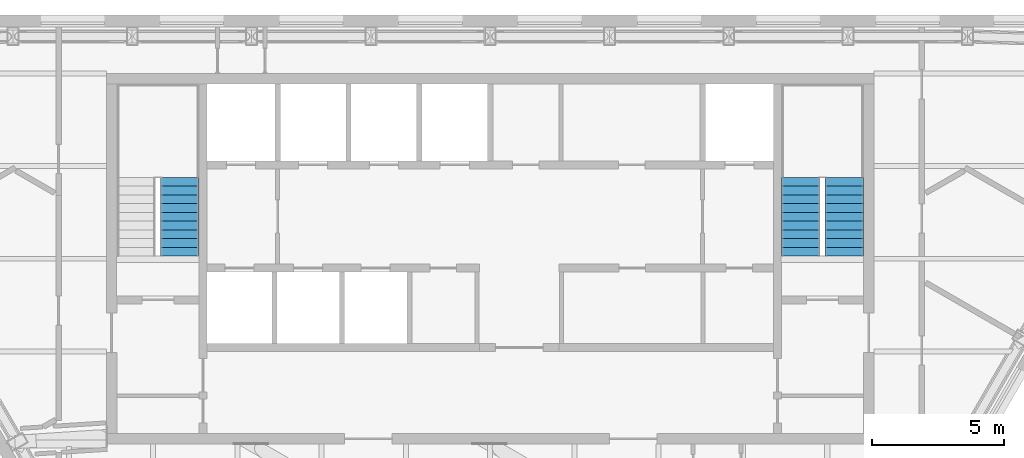
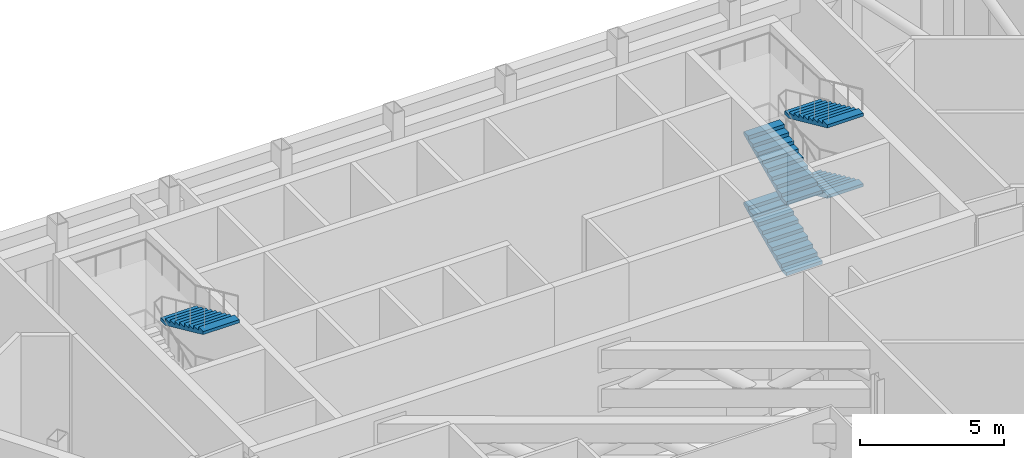
# One storey, part 13 of 14: 5 stair flights, 2 elements without a shape of their own.
"""IFC4 building model written with IfcOpenShell, lengths in metres."""

from ifc_helpers import new_model, si_unit, direction, frame, origin, place, context, subcontext, project, spatial, polygons, material, type_object, element, aggregate, save


model = new_model("IFC4")

# Units and contexts
model_context = context("Model", 3, precision=1e-05, world=origin(), true_north=direction((0.0, 1.0)))
body_context = subcontext(model_context, "Body", "Model", "MODEL_VIEW")
ifc_project = project(units=[si_unit("LENGTHUNIT", "METRE"), si_unit("AREAUNIT", "SQUARE_METRE"), si_unit("VOLUMEUNIT", "CUBIC_METRE"), si_unit("PLANEANGLEUNIT", "RADIAN"), si_unit("MASSUNIT", "GRAM", prefix="KILO")], contexts=[model_context])

# Site, building, storey
site_placement = place(None, origin())
site = spatial("IfcSite", under=ifc_project, at=site_placement, CompositionType="ELEMENT")
building_placement = place(site_placement, origin())
building = spatial("IfcBuilding", under=site, at=building_placement, Name="Njiva Tower", CompositionType="ELEMENT")
storey_placement = place(building_placement, frame((0.0, 0.0, 292.2)))
storey = spatial("IfcBuildingStorey", under=building, at=storey_placement, Name="L67", CompositionType="ELEMENT", Elevation=292.2)

# Stair, stair flight
ifc_material = material(Name="Concrete C40/50", Category="concrete")
stair_type = type_object("IfcStairType", Name="ST3 Exit stair 1450", PredefinedType="HALF_TURN_STAIR", material=ifc_material)
stair_1_placement = place(storey_placement, origin())
stair_1 = element("IfcStair", 1, at=stair_1_placement, inside=storey, type_object=stair_type, Name="Stair A", PredefinedType="DOUBLE_RETURN_STAIR")
stair_flight_type = type_object("IfcStairFlightType", Name="FL3 Stair flight 1450", PredefinedType="STRAIGHT", material=ifc_material)
stair_flight_1_placement = place(storey_placement, frame((-11.725, 14.07, 4.5), z_axis=(0.0, 0.0, 1.0), x_axis=(0.0, -1.0, 0.0)))
stair_flight_1 = element("IfcStairFlight", 2, at=stair_flight_1_placement, type_object=stair_flight_type, Name="ST-A flight 4", NumberOfRisers=10, NumberOfTreads=9, PredefinedType="STRAIGHT", RiserHeight=0.15, TreadLength=0.33, context=body_context, shape_type="Tessellation", body=[
    polygons([(0.0, 0.725, 0.0), (0.0, 0.3625, 0.0), (0.0, 0.0, 0.0), (0.0, -0.3625, 0.0), (0.0, -0.725, 0.0), (0.0, 0.725, 0.15), (0.0, 0.3625, 0.15), (0.0, 0.0, 0.15), (0.0, -0.3625, 0.15), (0.0, -0.725, 0.15), (0.33, 0.725, 0.15), (0.33, 0.3625, 0.15), (0.33, 0.0, 0.15), (0.33, -0.3625, 0.15), (0.33, -0.725, 0.15), (0.33, 0.725, 0.3), (0.33, 0.3625, 0.3), (0.33, 0.0, 0.3), (0.33, -0.3625, 0.3), (0.33, -0.725, 0.3), (0.66, 0.725, 0.3), (0.66, 0.3625, 0.3), (0.66, 0.0, 0.3), (0.66, -0.3625, 0.3), (0.66, -0.725, 0.3), (0.66, 0.725, 0.45), (0.66, 0.3625, 0.45), (0.66, 0.0, 0.45), (0.66, -0.3625, 0.45), (0.66, -0.725, 0.45), (0.99, 0.725, 0.45), (0.99, 0.3625, 0.45), (0.99, 0.0, 0.45), (0.99, -0.3625, 0.45), (0.99, -0.725, 0.45), (0.99, 0.725, 0.6), (0.99, 0.3625, 0.6), (0.99, 0.0, 0.6), (0.99, -0.3625, 0.6), (0.99, -0.725, 0.6), (1.32, 0.725, 0.6), (1.32, 0.3625, 0.6), (1.32, 0.0, 0.6), (1.32, -0.3625, 0.6), (1.32, -0.725, 0.6), (1.32, 0.725, 0.75), (1.32, 0.3625, 0.75), (1.32, 0.0, 0.75), (1.32, -0.3625, 0.75), (1.32, -0.725, 0.75), (1.65, 0.725, 0.75), (1.65, 0.3625, 0.75), (1.65, 0.0, 0.75), (1.65, -0.3625, 0.75), (1.65, -0.725, 0.75), (1.65, 0.725, 0.9), (1.65, 0.3625, 0.9), (1.65, 0.0, 0.9), (1.65, -0.3625, 0.9), (1.65, -0.725, 0.9), (1.98, 0.725, 0.9), (1.98, 0.3625, 0.9), (1.98, 0.0, 0.9), (1.98, -0.3625, 0.9), (1.98, -0.725, 0.9), (1.98, 0.725, 1.05), (1.98, 0.3625, 1.05), (1.98, 0.0, 1.05), (1.98, -0.3625, 1.05), (1.98, -0.725, 1.05), (2.31, 0.725, 1.05), (2.31, 0.3625, 1.05), (2.31, 0.0, 1.05), (2.31, -0.3625, 1.05), (2.31, -0.725, 1.05), (2.31, 0.725, 1.2), (2.31, 0.3625, 1.2), (2.31, 0.0, 1.2), (2.31, -0.3625, 1.2), (2.31, -0.725, 1.2), (2.64, 0.725, 1.2), (2.64, 0.3625, 1.2), (2.64, 0.0, 1.2), (2.64, -0.3625, 1.2), (2.64, -0.725, 1.2), (2.64, 0.725, 1.35), (2.64, 0.3625, 1.35), (2.64, 0.0, 1.35), (2.64, -0.3625, 1.35), (2.64, -0.725, 1.35), (2.97, 0.725, 1.35), (2.97, 0.3625, 1.35), (2.97, 0.0, 1.35), (2.97, -0.3625, 1.35), (2.97, -0.725, 1.35), (2.97, 0.725, 1.2182), (2.97, 0.3625, 1.2182), (2.97, 0.0, 1.2182), (2.97, -0.3625, 1.2182), (2.97, -0.725, 1.2182), (0.29, 0.725, 0.0), (0.29, 0.3625, 0.0), (0.29, 0.0, 0.0), (0.29, -0.3625, 0.0), (0.29, -0.725, 0.0)], [[[1, 6, 11, 16, 21, 26, 31, 36, 41, 46, 51, 56, 61, 66, 71, 76, 81, 86, 91, 96, 101]], [[105, 100, 95, 90, 85, 80, 75, 70, 65, 60, 55, 50, 45, 40, 35, 30, 25, 20, 15, 10, 5]], [[6, 1, 2, 7]], [[7, 2, 3, 8]], [[8, 3, 4, 9]], [[9, 4, 5, 10]], [[11, 6, 7, 12]], [[12, 7, 8, 13]], [[13, 8, 9, 14]], [[14, 9, 10, 15]], [[16, 11, 12, 17]], [[17, 12, 13, 18]], [[18, 13, 14, 19]], [[19, 14, 15, 20]], [[21, 16, 17, 22]], [[22, 17, 18, 23]], [[23, 18, 19, 24]], [[24, 19, 20, 25]], [[26, 21, 22, 27]], [[27, 22, 23, 28]], [[28, 23, 24, 29]], [[29, 24, 25, 30]], [[31, 26, 27, 32]], [[32, 27, 28, 33]], [[33, 28, 29, 34]], [[34, 29, 30, 35]], [[36, 31, 32, 37]], [[37, 32, 33, 38]], [[38, 33, 34, 39]], [[39, 34, 35, 40]], [[41, 36, 37, 42]], [[42, 37, 38, 43]], [[43, 38, 39, 44]], [[44, 39, 40, 45]], [[46, 41, 42, 47]], [[47, 42, 43, 48]], [[48, 43, 44, 49]], [[49, 44, 45, 50]], [[51, 46, 47, 52]], [[52, 47, 48, 53]], [[53, 48, 49, 54]], [[54, 49, 50, 55]], [[56, 51, 52, 57]], [[57, 52, 53, 58]], [[58, 53, 54, 59]], [[59, 54, 55, 60]], [[61, 56, 57, 62]], [[62, 57, 58, 63]], [[63, 58, 59, 64]], [[64, 59, 60, 65]], [[66, 61, 62, 67]], [[67, 62, 63, 68]], [[68, 63, 64, 69]], [[69, 64, 65, 70]], [[71, 66, 67, 72]], [[72, 67, 68, 73]], [[73, 68, 69, 74]], [[74, 69, 70, 75]], [[76, 71, 72, 77]], [[77, 72, 73, 78]], [[78, 73, 74, 79]], [[79, 74, 75, 80]], [[81, 76, 77, 82]], [[82, 77, 78, 83]], [[83, 78, 79, 84]], [[84, 79, 80, 85]], [[86, 81, 82, 87]], [[87, 82, 83, 88]], [[88, 83, 84, 89]], [[89, 84, 85, 90]], [[91, 86, 87, 92]], [[92, 87, 88, 93]], [[93, 88, 89, 94]], [[94, 89, 90, 95]], [[96, 91, 92, 97]], [[97, 92, 93, 98]], [[98, 93, 94, 99]], [[99, 94, 95, 100]], [[101, 96, 97, 102]], [[102, 97, 98, 103]], [[103, 98, 99, 104]], [[104, 99, 100, 105]], [[1, 101, 102, 2]], [[2, 102, 103, 3]], [[3, 103, 104, 4]], [[4, 104, 105, 5]]], closed=True),
])
aggregate(stair_1, [stair_flight_1])

# Stair, stair flights
stair_2_placement = place(storey_placement, origin())
stair_2 = element("IfcStair", 3, at=stair_2_placement, inside=storey, type_object=stair_type, Name="Stair B", PredefinedType="DOUBLE_RETURN_STAIR")
stair_flight_2_placement = place(storey_placement, frame((11.725, 11.1, 0.0), z_axis=(0.0, 0.0, 1.0), x_axis=(0.0, 1.0, 0.0)))
stair_flight_2 = element("IfcStairFlight", 4, at=stair_flight_2_placement, type_object=stair_flight_type, Name="ST-B flight 1", NumberOfRisers=10, NumberOfTreads=9, PredefinedType="STRAIGHT", RiserHeight=0.15, TreadLength=0.33, context=body_context, shape_type="Tessellation", body=[
    polygons([(0.0, 0.725, 0.0), (0.0, 0.3625, 0.0), (0.0, 0.0, 0.0), (0.0, -0.3625, 0.0), (0.0, -0.725, 0.0), (0.0, 0.725, 0.15), (0.0, 0.3625, 0.15), (0.0, 0.0, 0.15), (0.0, -0.3625, 0.15), (0.0, -0.725, 0.15), (0.33, 0.725, 0.15), (0.33, 0.3625, 0.15), (0.33, 0.0, 0.15), (0.33, -0.3625, 0.15), (0.33, -0.725, 0.15), (0.33, 0.725, 0.3), (0.33, 0.3625, 0.3), (0.33, 0.0, 0.3), (0.33, -0.3625, 0.3), (0.33, -0.725, 0.3), (0.66, 0.725, 0.3), (0.66, 0.3625, 0.3), (0.66, 0.0, 0.3), (0.66, -0.3625, 0.3), (0.66, -0.725, 0.3), (0.66, 0.725, 0.45), (0.66, 0.3625, 0.45), (0.66, 0.0, 0.45), (0.66, -0.3625, 0.45), (0.66, -0.725, 0.45), (0.99, 0.725, 0.45), (0.99, 0.3625, 0.45), (0.99, 0.0, 0.45), (0.99, -0.3625, 0.45), (0.99, -0.725, 0.45), (0.99, 0.725, 0.6), (0.99, 0.3625, 0.6), (0.99, 0.0, 0.6), (0.99, -0.3625, 0.6), (0.99, -0.725, 0.6), (1.32, 0.725, 0.6), (1.32, 0.3625, 0.6), (1.32, 0.0, 0.6), (1.32, -0.3625, 0.6), (1.32, -0.725, 0.6), (1.32, 0.725, 0.75), (1.32, 0.3625, 0.75), (1.32, 0.0, 0.75), (1.32, -0.3625, 0.75), (1.32, -0.725, 0.75), (1.65, 0.725, 0.75), (1.65, 0.3625, 0.75), (1.65, 0.0, 0.75), (1.65, -0.3625, 0.75), (1.65, -0.725, 0.75), (1.65, 0.725, 0.9), (1.65, 0.3625, 0.9), (1.65, 0.0, 0.9), (1.65, -0.3625, 0.9), (1.65, -0.725, 0.9), (1.98, 0.725, 0.9), (1.98, 0.3625, 0.9), (1.98, 0.0, 0.9), (1.98, -0.3625, 0.9), (1.98, -0.725, 0.9), (1.98, 0.725, 1.05), (1.98, 0.3625, 1.05), (1.98, 0.0, 1.05), (1.98, -0.3625, 1.05), (1.98, -0.725, 1.05), (2.31, 0.725, 1.05), (2.31, 0.3625, 1.05), (2.31, 0.0, 1.05), (2.31, -0.3625, 1.05), (2.31, -0.725, 1.05), (2.31, 0.725, 1.2), (2.31, 0.3625, 1.2), (2.31, 0.0, 1.2), (2.31, -0.3625, 1.2), (2.31, -0.725, 1.2), (2.64, 0.725, 1.2), (2.64, 0.3625, 1.2), (2.64, 0.0, 1.2), (2.64, -0.3625, 1.2), (2.64, -0.725, 1.2), (2.64, 0.725, 1.35), (2.64, 0.3625, 1.35), (2.64, 0.0, 1.35), (2.64, -0.3625, 1.35), (2.64, -0.725, 1.35), (2.97, 0.725, 1.35), (2.97, 0.3625, 1.35), (2.97, 0.0, 1.35), (2.97, -0.3625, 1.35), (2.97, -0.725, 1.35), (2.97, 0.725, 1.2182), (2.97, 0.3625, 1.2182), (2.97, 0.0, 1.2182), (2.97, -0.3625, 1.2182), (2.97, -0.725, 1.2182), (0.29, 0.725, 0.0), (0.29, 0.3625, 0.0), (0.29, 0.0, 0.0), (0.29, -0.3625, 0.0), (0.29, -0.725, 0.0)], [[[1, 6, 11, 16, 21, 26, 31, 36, 41, 46, 51, 56, 61, 66, 71, 76, 81, 86, 91, 96, 101]], [[105, 100, 95, 90, 85, 80, 75, 70, 65, 60, 55, 50, 45, 40, 35, 30, 25, 20, 15, 10, 5]], [[6, 1, 2, 7]], [[7, 2, 3, 8]], [[8, 3, 4, 9]], [[9, 4, 5, 10]], [[11, 6, 7, 12]], [[12, 7, 8, 13]], [[13, 8, 9, 14]], [[14, 9, 10, 15]], [[16, 11, 12, 17]], [[17, 12, 13, 18]], [[18, 13, 14, 19]], [[19, 14, 15, 20]], [[21, 16, 17, 22]], [[22, 17, 18, 23]], [[23, 18, 19, 24]], [[24, 19, 20, 25]], [[26, 21, 22, 27]], [[27, 22, 23, 28]], [[28, 23, 24, 29]], [[29, 24, 25, 30]], [[31, 26, 27, 32]], [[32, 27, 28, 33]], [[33, 28, 29, 34]], [[34, 29, 30, 35]], [[36, 31, 32, 37]], [[37, 32, 33, 38]], [[38, 33, 34, 39]], [[39, 34, 35, 40]], [[41, 36, 37, 42]], [[42, 37, 38, 43]], [[43, 38, 39, 44]], [[44, 39, 40, 45]], [[46, 41, 42, 47]], [[47, 42, 43, 48]], [[48, 43, 44, 49]], [[49, 44, 45, 50]], [[51, 46, 47, 52]], [[52, 47, 48, 53]], [[53, 48, 49, 54]], [[54, 49, 50, 55]], [[56, 51, 52, 57]], [[57, 52, 53, 58]], [[58, 53, 54, 59]], [[59, 54, 55, 60]], [[61, 56, 57, 62]], [[62, 57, 58, 63]], [[63, 58, 59, 64]], [[64, 59, 60, 65]], [[66, 61, 62, 67]], [[67, 62, 63, 68]], [[68, 63, 64, 69]], [[69, 64, 65, 70]], [[71, 66, 67, 72]], [[72, 67, 68, 73]], [[73, 68, 69, 74]], [[74, 69, 70, 75]], [[76, 71, 72, 77]], [[77, 72, 73, 78]], [[78, 73, 74, 79]], [[79, 74, 75, 80]], [[81, 76, 77, 82]], [[82, 77, 78, 83]], [[83, 78, 79, 84]], [[84, 79, 80, 85]], [[86, 81, 82, 87]], [[87, 82, 83, 88]], [[88, 83, 84, 89]], [[89, 84, 85, 90]], [[91, 86, 87, 92]], [[92, 87, 88, 93]], [[93, 88, 89, 94]], [[94, 89, 90, 95]], [[96, 91, 92, 97]], [[97, 92, 93, 98]], [[98, 93, 94, 99]], [[99, 94, 95, 100]], [[101, 96, 97, 102]], [[102, 97, 98, 103]], [[103, 98, 99, 104]], [[104, 99, 100, 105]], [[1, 101, 102, 2]], [[2, 102, 103, 3]], [[3, 103, 104, 4]], [[4, 104, 105, 5]]], closed=True),
])
stair_flight_3_placement = place(storey_placement, frame((13.375, 14.07, 1.5), z_axis=(0.0, 0.0, 1.0), x_axis=(0.0, -1.0, 0.0)))
stair_flight_3 = element("IfcStairFlight", 5, at=stair_flight_3_placement, type_object=stair_flight_type, Name="ST-B flight 2", NumberOfRisers=10, NumberOfTreads=9, PredefinedType="STRAIGHT", RiserHeight=0.15, TreadLength=0.33, context=body_context, shape_type="Tessellation", body=[
    polygons([(0.0, 0.725, 0.0), (0.0, 0.3625, 0.0), (0.0, 0.0, 0.0), (0.0, -0.3625, 0.0), (0.0, -0.725, 0.0), (0.0, 0.725, 0.15), (0.0, 0.3625, 0.15), (0.0, 0.0, 0.15), (0.0, -0.3625, 0.15), (0.0, -0.725, 0.15), (0.33, 0.725, 0.15), (0.33, 0.3625, 0.15), (0.33, 0.0, 0.15), (0.33, -0.3625, 0.15), (0.33, -0.725, 0.15), (0.33, 0.725, 0.3), (0.33, 0.3625, 0.3), (0.33, 0.0, 0.3), (0.33, -0.3625, 0.3), (0.33, -0.725, 0.3), (0.66, 0.725, 0.3), (0.66, 0.3625, 0.3), (0.66, 0.0, 0.3), (0.66, -0.3625, 0.3), (0.66, -0.725, 0.3), (0.66, 0.725, 0.45), (0.66, 0.3625, 0.45), (0.66, 0.0, 0.45), (0.66, -0.3625, 0.45), (0.66, -0.725, 0.45), (0.99, 0.725, 0.45), (0.99, 0.3625, 0.45), (0.99, 0.0, 0.45), (0.99, -0.3625, 0.45), (0.99, -0.725, 0.45), (0.99, 0.725, 0.6), (0.99, 0.3625, 0.6), (0.99, 0.0, 0.6), (0.99, -0.3625, 0.6), (0.99, -0.725, 0.6), (1.32, 0.725, 0.6), (1.32, 0.3625, 0.6), (1.32, 0.0, 0.6), (1.32, -0.3625, 0.6), (1.32, -0.725, 0.6), (1.32, 0.725, 0.75), (1.32, 0.3625, 0.75), (1.32, 0.0, 0.75), (1.32, -0.3625, 0.75), (1.32, -0.725, 0.75), (1.65, 0.725, 0.75), (1.65, 0.3625, 0.75), (1.65, 0.0, 0.75), (1.65, -0.3625, 0.75), (1.65, -0.725, 0.75), (1.65, 0.725, 0.9), (1.65, 0.3625, 0.9), (1.65, 0.0, 0.9), (1.65, -0.3625, 0.9), (1.65, -0.725, 0.9), (1.98, 0.725, 0.9), (1.98, 0.3625, 0.9), (1.98, 0.0, 0.9), (1.98, -0.3625, 0.9), (1.98, -0.725, 0.9), (1.98, 0.725, 1.05), (1.98, 0.3625, 1.05), (1.98, 0.0, 1.05), (1.98, -0.3625, 1.05), (1.98, -0.725, 1.05), (2.31, 0.725, 1.05), (2.31, 0.3625, 1.05), (2.31, 0.0, 1.05), (2.31, -0.3625, 1.05), (2.31, -0.725, 1.05), (2.31, 0.725, 1.2), (2.31, 0.3625, 1.2), (2.31, 0.0, 1.2), (2.31, -0.3625, 1.2), (2.31, -0.725, 1.2), (2.64, 0.725, 1.2), (2.64, 0.3625, 1.2), (2.64, 0.0, 1.2), (2.64, -0.3625, 1.2), (2.64, -0.725, 1.2), (2.64, 0.725, 1.35), (2.64, 0.3625, 1.35), (2.64, 0.0, 1.35), (2.64, -0.3625, 1.35), (2.64, -0.725, 1.35), (2.97, 0.725, 1.35), (2.97, 0.3625, 1.35), (2.97, 0.0, 1.35), (2.97, -0.3625, 1.35), (2.97, -0.725, 1.35), (2.97, 0.725, 1.2182), (2.97, 0.3625, 1.2182), (2.97, 0.0, 1.2182), (2.97, -0.3625, 1.2182), (2.97, -0.725, 1.2182), (0.29, 0.725, 0.0), (0.29, 0.3625, 0.0), (0.29, 0.0, 0.0), (0.29, -0.3625, 0.0), (0.29, -0.725, 0.0)], [[[1, 6, 11, 16, 21, 26, 31, 36, 41, 46, 51, 56, 61, 66, 71, 76, 81, 86, 91, 96, 101]], [[105, 100, 95, 90, 85, 80, 75, 70, 65, 60, 55, 50, 45, 40, 35, 30, 25, 20, 15, 10, 5]], [[6, 1, 2, 7]], [[7, 2, 3, 8]], [[8, 3, 4, 9]], [[9, 4, 5, 10]], [[11, 6, 7, 12]], [[12, 7, 8, 13]], [[13, 8, 9, 14]], [[14, 9, 10, 15]], [[16, 11, 12, 17]], [[17, 12, 13, 18]], [[18, 13, 14, 19]], [[19, 14, 15, 20]], [[21, 16, 17, 22]], [[22, 17, 18, 23]], [[23, 18, 19, 24]], [[24, 19, 20, 25]], [[26, 21, 22, 27]], [[27, 22, 23, 28]], [[28, 23, 24, 29]], [[29, 24, 25, 30]], [[31, 26, 27, 32]], [[32, 27, 28, 33]], [[33, 28, 29, 34]], [[34, 29, 30, 35]], [[36, 31, 32, 37]], [[37, 32, 33, 38]], [[38, 33, 34, 39]], [[39, 34, 35, 40]], [[41, 36, 37, 42]], [[42, 37, 38, 43]], [[43, 38, 39, 44]], [[44, 39, 40, 45]], [[46, 41, 42, 47]], [[47, 42, 43, 48]], [[48, 43, 44, 49]], [[49, 44, 45, 50]], [[51, 46, 47, 52]], [[52, 47, 48, 53]], [[53, 48, 49, 54]], [[54, 49, 50, 55]], [[56, 51, 52, 57]], [[57, 52, 53, 58]], [[58, 53, 54, 59]], [[59, 54, 55, 60]], [[61, 56, 57, 62]], [[62, 57, 58, 63]], [[63, 58, 59, 64]], [[64, 59, 60, 65]], [[66, 61, 62, 67]], [[67, 62, 63, 68]], [[68, 63, 64, 69]], [[69, 64, 65, 70]], [[71, 66, 67, 72]], [[72, 67, 68, 73]], [[73, 68, 69, 74]], [[74, 69, 70, 75]], [[76, 71, 72, 77]], [[77, 72, 73, 78]], [[78, 73, 74, 79]], [[79, 74, 75, 80]], [[81, 76, 77, 82]], [[82, 77, 78, 83]], [[83, 78, 79, 84]], [[84, 79, 80, 85]], [[86, 81, 82, 87]], [[87, 82, 83, 88]], [[88, 83, 84, 89]], [[89, 84, 85, 90]], [[91, 86, 87, 92]], [[92, 87, 88, 93]], [[93, 88, 89, 94]], [[94, 89, 90, 95]], [[96, 91, 92, 97]], [[97, 92, 93, 98]], [[98, 93, 94, 99]], [[99, 94, 95, 100]], [[101, 96, 97, 102]], [[102, 97, 98, 103]], [[103, 98, 99, 104]], [[104, 99, 100, 105]], [[1, 101, 102, 2]], [[2, 102, 103, 3]], [[3, 103, 104, 4]], [[4, 104, 105, 5]]], closed=True),
])
stair_flight_4_placement = place(storey_placement, frame((11.725, 11.1, 3.0), z_axis=(0.0, 0.0, 1.0), x_axis=(0.0, 1.0, 0.0)))
stair_flight_4 = element("IfcStairFlight", 6, at=stair_flight_4_placement, type_object=stair_flight_type, Name="ST-B flight 3", NumberOfRisers=10, NumberOfTreads=9, PredefinedType="STRAIGHT", RiserHeight=0.15, TreadLength=0.33, context=body_context, shape_type="Tessellation", body=[
    polygons([(0.0, 0.725, 0.0), (0.0, 0.3625, 0.0), (0.0, 0.0, 0.0), (0.0, -0.3625, 0.0), (0.0, -0.725, 0.0), (0.0, 0.725, 0.15), (0.0, 0.3625, 0.15), (0.0, 0.0, 0.15), (0.0, -0.3625, 0.15), (0.0, -0.725, 0.15), (0.33, 0.725, 0.15), (0.33, 0.3625, 0.15), (0.33, 0.0, 0.15), (0.33, -0.3625, 0.15), (0.33, -0.725, 0.15), (0.33, 0.725, 0.3), (0.33, 0.3625, 0.3), (0.33, 0.0, 0.3), (0.33, -0.3625, 0.3), (0.33, -0.725, 0.3), (0.66, 0.725, 0.3), (0.66, 0.3625, 0.3), (0.66, 0.0, 0.3), (0.66, -0.3625, 0.3), (0.66, -0.725, 0.3), (0.66, 0.725, 0.45), (0.66, 0.3625, 0.45), (0.66, 0.0, 0.45), (0.66, -0.3625, 0.45), (0.66, -0.725, 0.45), (0.99, 0.725, 0.45), (0.99, 0.3625, 0.45), (0.99, 0.0, 0.45), (0.99, -0.3625, 0.45), (0.99, -0.725, 0.45), (0.99, 0.725, 0.6), (0.99, 0.3625, 0.6), (0.99, 0.0, 0.6), (0.99, -0.3625, 0.6), (0.99, -0.725, 0.6), (1.32, 0.725, 0.6), (1.32, 0.3625, 0.6), (1.32, 0.0, 0.6), (1.32, -0.3625, 0.6), (1.32, -0.725, 0.6), (1.32, 0.725, 0.75), (1.32, 0.3625, 0.75), (1.32, 0.0, 0.75), (1.32, -0.3625, 0.75), (1.32, -0.725, 0.75), (1.65, 0.725, 0.75), (1.65, 0.3625, 0.75), (1.65, 0.0, 0.75), (1.65, -0.3625, 0.75), (1.65, -0.725, 0.75), (1.65, 0.725, 0.9), (1.65, 0.3625, 0.9), (1.65, 0.0, 0.9), (1.65, -0.3625, 0.9), (1.65, -0.725, 0.9), (1.98, 0.725, 0.9), (1.98, 0.3625, 0.9), (1.98, 0.0, 0.9), (1.98, -0.3625, 0.9), (1.98, -0.725, 0.9), (1.98, 0.725, 1.05), (1.98, 0.3625, 1.05), (1.98, 0.0, 1.05), (1.98, -0.3625, 1.05), (1.98, -0.725, 1.05), (2.31, 0.725, 1.05), (2.31, 0.3625, 1.05), (2.31, 0.0, 1.05), (2.31, -0.3625, 1.05), (2.31, -0.725, 1.05), (2.31, 0.725, 1.2), (2.31, 0.3625, 1.2), (2.31, 0.0, 1.2), (2.31, -0.3625, 1.2), (2.31, -0.725, 1.2), (2.64, 0.725, 1.2), (2.64, 0.3625, 1.2), (2.64, 0.0, 1.2), (2.64, -0.3625, 1.2), (2.64, -0.725, 1.2), (2.64, 0.725, 1.35), (2.64, 0.3625, 1.35), (2.64, 0.0, 1.35), (2.64, -0.3625, 1.35), (2.64, -0.725, 1.35), (2.97, 0.725, 1.35), (2.97, 0.3625, 1.35), (2.97, 0.0, 1.35), (2.97, -0.3625, 1.35), (2.97, -0.725, 1.35), (2.97, 0.725, 1.2182), (2.97, 0.3625, 1.2182), (2.97, 0.0, 1.2182), (2.97, -0.3625, 1.2182), (2.97, -0.725, 1.2182), (0.29, 0.725, 0.0), (0.29, 0.3625, 0.0), (0.29, 0.0, 0.0), (0.29, -0.3625, 0.0), (0.29, -0.725, 0.0)], [[[1, 6, 11, 16, 21, 26, 31, 36, 41, 46, 51, 56, 61, 66, 71, 76, 81, 86, 91, 96, 101]], [[105, 100, 95, 90, 85, 80, 75, 70, 65, 60, 55, 50, 45, 40, 35, 30, 25, 20, 15, 10, 5]], [[6, 1, 2, 7]], [[7, 2, 3, 8]], [[8, 3, 4, 9]], [[9, 4, 5, 10]], [[11, 6, 7, 12]], [[12, 7, 8, 13]], [[13, 8, 9, 14]], [[14, 9, 10, 15]], [[16, 11, 12, 17]], [[17, 12, 13, 18]], [[18, 13, 14, 19]], [[19, 14, 15, 20]], [[21, 16, 17, 22]], [[22, 17, 18, 23]], [[23, 18, 19, 24]], [[24, 19, 20, 25]], [[26, 21, 22, 27]], [[27, 22, 23, 28]], [[28, 23, 24, 29]], [[29, 24, 25, 30]], [[31, 26, 27, 32]], [[32, 27, 28, 33]], [[33, 28, 29, 34]], [[34, 29, 30, 35]], [[36, 31, 32, 37]], [[37, 32, 33, 38]], [[38, 33, 34, 39]], [[39, 34, 35, 40]], [[41, 36, 37, 42]], [[42, 37, 38, 43]], [[43, 38, 39, 44]], [[44, 39, 40, 45]], [[46, 41, 42, 47]], [[47, 42, 43, 48]], [[48, 43, 44, 49]], [[49, 44, 45, 50]], [[51, 46, 47, 52]], [[52, 47, 48, 53]], [[53, 48, 49, 54]], [[54, 49, 50, 55]], [[56, 51, 52, 57]], [[57, 52, 53, 58]], [[58, 53, 54, 59]], [[59, 54, 55, 60]], [[61, 56, 57, 62]], [[62, 57, 58, 63]], [[63, 58, 59, 64]], [[64, 59, 60, 65]], [[66, 61, 62, 67]], [[67, 62, 63, 68]], [[68, 63, 64, 69]], [[69, 64, 65, 70]], [[71, 66, 67, 72]], [[72, 67, 68, 73]], [[73, 68, 69, 74]], [[74, 69, 70, 75]], [[76, 71, 72, 77]], [[77, 72, 73, 78]], [[78, 73, 74, 79]], [[79, 74, 75, 80]], [[81, 76, 77, 82]], [[82, 77, 78, 83]], [[83, 78, 79, 84]], [[84, 79, 80, 85]], [[86, 81, 82, 87]], [[87, 82, 83, 88]], [[88, 83, 84, 89]], [[89, 84, 85, 90]], [[91, 86, 87, 92]], [[92, 87, 88, 93]], [[93, 88, 89, 94]], [[94, 89, 90, 95]], [[96, 91, 92, 97]], [[97, 92, 93, 98]], [[98, 93, 94, 99]], [[99, 94, 95, 100]], [[101, 96, 97, 102]], [[102, 97, 98, 103]], [[103, 98, 99, 104]], [[104, 99, 100, 105]], [[1, 101, 102, 2]], [[2, 102, 103, 3]], [[3, 103, 104, 4]], [[4, 104, 105, 5]]], closed=True),
])
stair_flight_5_placement = place(storey_placement, frame((13.375, 14.07, 4.5), z_axis=(0.0, 0.0, 1.0), x_axis=(0.0, -1.0, 0.0)))
stair_flight_5 = element("IfcStairFlight", 7, at=stair_flight_5_placement, type_object=stair_flight_type, Name="ST-B flight 4", NumberOfRisers=10, NumberOfTreads=9, PredefinedType="STRAIGHT", RiserHeight=0.15, TreadLength=0.33, context=body_context, shape_type="Tessellation", body=[
    polygons([(0.0, 0.725, 0.0), (0.0, 0.3625, 0.0), (0.0, 0.0, 0.0), (0.0, -0.3625, 0.0), (0.0, -0.725, 0.0), (0.0, 0.725, 0.15), (0.0, 0.3625, 0.15), (0.0, 0.0, 0.15), (0.0, -0.3625, 0.15), (0.0, -0.725, 0.15), (0.33, 0.725, 0.15), (0.33, 0.3625, 0.15), (0.33, 0.0, 0.15), (0.33, -0.3625, 0.15), (0.33, -0.725, 0.15), (0.33, 0.725, 0.3), (0.33, 0.3625, 0.3), (0.33, 0.0, 0.3), (0.33, -0.3625, 0.3), (0.33, -0.725, 0.3), (0.66, 0.725, 0.3), (0.66, 0.3625, 0.3), (0.66, 0.0, 0.3), (0.66, -0.3625, 0.3), (0.66, -0.725, 0.3), (0.66, 0.725, 0.45), (0.66, 0.3625, 0.45), (0.66, 0.0, 0.45), (0.66, -0.3625, 0.45), (0.66, -0.725, 0.45), (0.99, 0.725, 0.45), (0.99, 0.3625, 0.45), (0.99, 0.0, 0.45), (0.99, -0.3625, 0.45), (0.99, -0.725, 0.45), (0.99, 0.725, 0.6), (0.99, 0.3625, 0.6), (0.99, 0.0, 0.6), (0.99, -0.3625, 0.6), (0.99, -0.725, 0.6), (1.32, 0.725, 0.6), (1.32, 0.3625, 0.6), (1.32, 0.0, 0.6), (1.32, -0.3625, 0.6), (1.32, -0.725, 0.6), (1.32, 0.725, 0.75), (1.32, 0.3625, 0.75), (1.32, 0.0, 0.75), (1.32, -0.3625, 0.75), (1.32, -0.725, 0.75), (1.65, 0.725, 0.75), (1.65, 0.3625, 0.75), (1.65, 0.0, 0.75), (1.65, -0.3625, 0.75), (1.65, -0.725, 0.75), (1.65, 0.725, 0.9), (1.65, 0.3625, 0.9), (1.65, 0.0, 0.9), (1.65, -0.3625, 0.9), (1.65, -0.725, 0.9), (1.98, 0.725, 0.9), (1.98, 0.3625, 0.9), (1.98, 0.0, 0.9), (1.98, -0.3625, 0.9), (1.98, -0.725, 0.9), (1.98, 0.725, 1.05), (1.98, 0.3625, 1.05), (1.98, 0.0, 1.05), (1.98, -0.3625, 1.05), (1.98, -0.725, 1.05), (2.31, 0.725, 1.05), (2.31, 0.3625, 1.05), (2.31, 0.0, 1.05), (2.31, -0.3625, 1.05), (2.31, -0.725, 1.05), (2.31, 0.725, 1.2), (2.31, 0.3625, 1.2), (2.31, 0.0, 1.2), (2.31, -0.3625, 1.2), (2.31, -0.725, 1.2), (2.64, 0.725, 1.2), (2.64, 0.3625, 1.2), (2.64, 0.0, 1.2), (2.64, -0.3625, 1.2), (2.64, -0.725, 1.2), (2.64, 0.725, 1.35), (2.64, 0.3625, 1.35), (2.64, 0.0, 1.35), (2.64, -0.3625, 1.35), (2.64, -0.725, 1.35), (2.97, 0.725, 1.35), (2.97, 0.3625, 1.35), (2.97, 0.0, 1.35), (2.97, -0.3625, 1.35), (2.97, -0.725, 1.35), (2.97, 0.725, 1.2182), (2.97, 0.3625, 1.2182), (2.97, 0.0, 1.2182), (2.97, -0.3625, 1.2182), (2.97, -0.725, 1.2182), (0.29, 0.725, 0.0), (0.29, 0.3625, 0.0), (0.29, 0.0, 0.0), (0.29, -0.3625, 0.0), (0.29, -0.725, 0.0)], [[[1, 6, 11, 16, 21, 26, 31, 36, 41, 46, 51, 56, 61, 66, 71, 76, 81, 86, 91, 96, 101]], [[105, 100, 95, 90, 85, 80, 75, 70, 65, 60, 55, 50, 45, 40, 35, 30, 25, 20, 15, 10, 5]], [[6, 1, 2, 7]], [[7, 2, 3, 8]], [[8, 3, 4, 9]], [[9, 4, 5, 10]], [[11, 6, 7, 12]], [[12, 7, 8, 13]], [[13, 8, 9, 14]], [[14, 9, 10, 15]], [[16, 11, 12, 17]], [[17, 12, 13, 18]], [[18, 13, 14, 19]], [[19, 14, 15, 20]], [[21, 16, 17, 22]], [[22, 17, 18, 23]], [[23, 18, 19, 24]], [[24, 19, 20, 25]], [[26, 21, 22, 27]], [[27, 22, 23, 28]], [[28, 23, 24, 29]], [[29, 24, 25, 30]], [[31, 26, 27, 32]], [[32, 27, 28, 33]], [[33, 28, 29, 34]], [[34, 29, 30, 35]], [[36, 31, 32, 37]], [[37, 32, 33, 38]], [[38, 33, 34, 39]], [[39, 34, 35, 40]], [[41, 36, 37, 42]], [[42, 37, 38, 43]], [[43, 38, 39, 44]], [[44, 39, 40, 45]], [[46, 41, 42, 47]], [[47, 42, 43, 48]], [[48, 43, 44, 49]], [[49, 44, 45, 50]], [[51, 46, 47, 52]], [[52, 47, 48, 53]], [[53, 48, 49, 54]], [[54, 49, 50, 55]], [[56, 51, 52, 57]], [[57, 52, 53, 58]], [[58, 53, 54, 59]], [[59, 54, 55, 60]], [[61, 56, 57, 62]], [[62, 57, 58, 63]], [[63, 58, 59, 64]], [[64, 59, 60, 65]], [[66, 61, 62, 67]], [[67, 62, 63, 68]], [[68, 63, 64, 69]], [[69, 64, 65, 70]], [[71, 66, 67, 72]], [[72, 67, 68, 73]], [[73, 68, 69, 74]], [[74, 69, 70, 75]], [[76, 71, 72, 77]], [[77, 72, 73, 78]], [[78, 73, 74, 79]], [[79, 74, 75, 80]], [[81, 76, 77, 82]], [[82, 77, 78, 83]], [[83, 78, 79, 84]], [[84, 79, 80, 85]], [[86, 81, 82, 87]], [[87, 82, 83, 88]], [[88, 83, 84, 89]], [[89, 84, 85, 90]], [[91, 86, 87, 92]], [[92, 87, 88, 93]], [[93, 88, 89, 94]], [[94, 89, 90, 95]], [[96, 91, 92, 97]], [[97, 92, 93, 98]], [[98, 93, 94, 99]], [[99, 94, 95, 100]], [[101, 96, 97, 102]], [[102, 97, 98, 103]], [[103, 98, 99, 104]], [[104, 99, 100, 105]], [[1, 101, 102, 2]], [[2, 102, 103, 3]], [[3, 103, 104, 4]], [[4, 104, 105, 5]]], closed=True),
])
aggregate(stair_2, [stair_flight_2, stair_flight_3, stair_flight_4, stair_flight_5])

save(model, "model.ifc")
